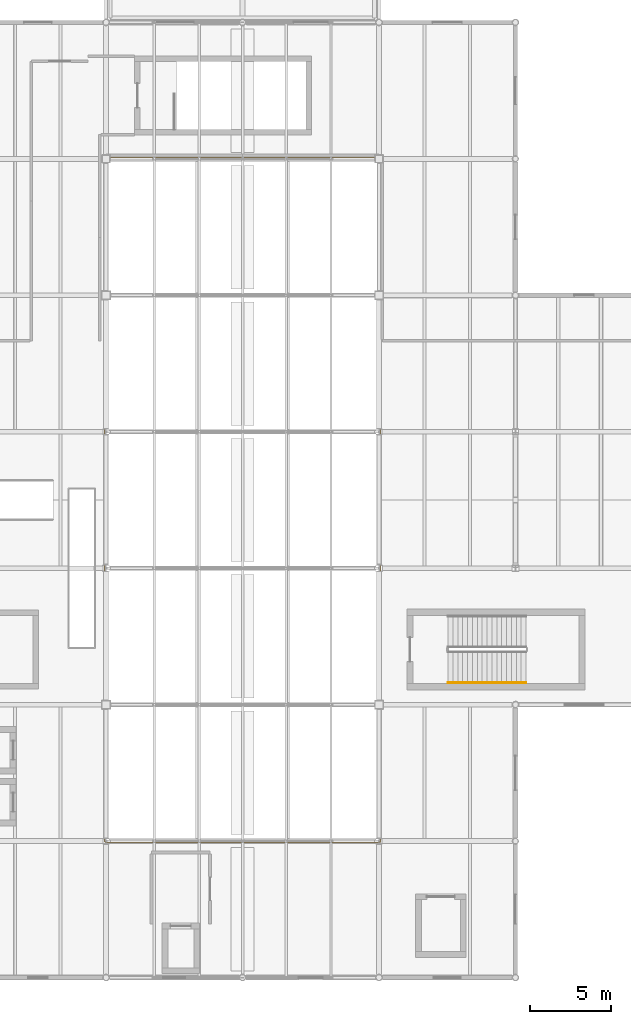
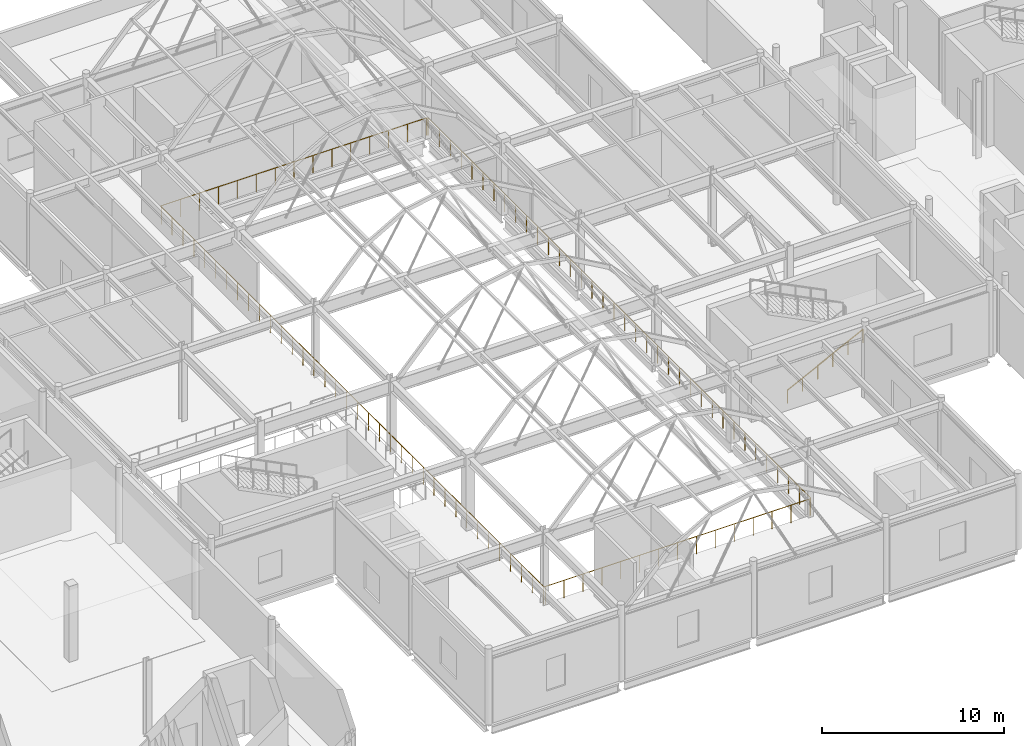
# One storey, part 92 of 103: 2 railings.
"""IFC4 building model written with IfcOpenShell, lengths in metres."""

from ifc_helpers import new_model, si_unit, direction, frame, origin, origin_2d, place, context, subcontext, project, spatial, circle, extrude, material, type_object, element, save


model = new_model("IFC4")

# Units and contexts
model_context = context("Model", 3, precision=1e-05, world=origin(), true_north=direction((0.0, 1.0)))
body_context = subcontext(model_context, "Body", "Model", "MODEL_VIEW")
ifc_project = project(units=[si_unit("LENGTHUNIT", "METRE"), si_unit("AREAUNIT", "SQUARE_METRE"), si_unit("VOLUMEUNIT", "CUBIC_METRE"), si_unit("PLANEANGLEUNIT", "RADIAN"), si_unit("MASSUNIT", "GRAM", prefix="KILO"), si_unit("THERMODYNAMICTEMPERATUREUNIT", "KELVIN")], contexts=[model_context])

# Site, building, storey
site_placement = place(None, origin())
site = spatial("IfcSite", under=ifc_project, at=site_placement, CompositionType="ELEMENT")
building_placement = place(site_placement, origin())
building = spatial("IfcBuilding", under=site, at=building_placement, Name="Lustrewick Department Store", CompositionType="ELEMENT")
storey_placement = place(building_placement, frame((0.0, 0.0, 16.5)))
storey = spatial("IfcBuildingStorey", under=building, at=storey_placement, Name="L04", CompositionType="ELEMENT", Elevation=16.5)

# Railings
ifc_material_1 = material(Name="Laminated safety glass and bronze atrium balustrade", Category="glass")
railing_type_1 = type_object("IfcRailingType", Name="RL-BAL", PredefinedType="BALUSTRADE", material=ifc_material_1)
railing_1_placement = place(storey_placement, frame((92.39990234375, 50.320068359375, 0.0)))
element("IfcRailing", 1, at=railing_1_placement, inside=storey, type_object=railing_type_1, Name="L04 Arcade Gallery Balustrade 0037", PredefinedType="BALUSTRADE", context=body_context, shape_type="SweptSolid", body=[
    extrude(circle(Radius=0.02392578125, at=origin_2d()), frame((0.0, 0.0, 1.17578125), z_axis=(-1.0, 0.0, 0.0), x_axis=(0.0, -1.0, 0.0)), (0.0, 0.0, 1.0), 16.7998046875),
    extrude(circle(Radius=0.02392578125, at=origin_2d()), frame((-16.7998046875, 0.0, 1.17578125), z_axis=(-0.999512076087, 0.031234752378, 0.0), x_axis=(-0.031234752378, -0.999512076087, 0.0)), (0.0, 0.0, 1.0), 0.0078125),
    extrude(circle(Radius=0.02392578125, at=origin_2d()), frame((-16.8076171875, 0.000244140625, 1.17578125), z_axis=(-0.988012033751, 0.154376880274, 0.0), x_axis=(-0.154376880274, -0.988012033751, 0.0)), (0.0, 0.0, 1.0), 0.0078125),
    extrude(circle(Radius=0.02392578125, at=origin_2d()), frame((-16.8154296875, 0.00146484375, 1.17578125), z_axis=(-0.968277323709, 0.249878019022, 0.0), x_axis=(-0.249878019022, -0.968277323709, 0.0)), (0.0, 0.0, 1.0), 0.0078125),
    extrude(circle(Radius=0.02392578125, at=origin_2d()), frame((-16.822998046875, 0.00341796875, 1.17578125), z_axis=(-0.942427745481, 0.334409845171, 0.0), x_axis=(-0.334409845171, -0.942427745481, 0.0)), (0.0, 0.0, 1.0), 0.008056640625),
    extrude(circle(Radius=0.02392578125, at=origin_2d()), frame((-16.83056640625, 0.006103515625, 1.17578125), z_axis=(-0.912509324515, 0.409055904093, 0.0), x_axis=(-0.409055904093, -0.912509324515, 0.0)), (0.0, 0.0, 1.0), 0.0078125),
    extrude(circle(Radius=0.02392578125, at=origin_2d()), frame((-16.837646484375, 0.00927734375, 1.17578125), z_axis=(-0.84623284009, 0.532813269686, 0.0), x_axis=(-0.532813269686, -0.84623284009, 0.0)), (0.0, 0.0, 1.0), 0.0078125),
    extrude(circle(Radius=0.02392578125, at=origin_2d()), frame((-16.84423828125, 0.013427734375, 1.17578125), z_axis=(-0.807391122258, 0.590016589342, 0.0), x_axis=(-0.590016589342, -0.807391122258, 0.0)), (0.0, 0.0, 1.0), 0.0078125),
    extrude(circle(Radius=0.02392578125, at=origin_2d()), frame((-16.8505859375, 0.01806640625, 1.17578125), z_axis=(-0.737154140201, 0.675724628517, 0.0), x_axis=(-0.675724628517, -0.737154140201, 0.0)), (0.0, 0.0, 1.0), 0.008056640625),
    extrude(circle(Radius=0.02392578125, at=origin_2d()), frame((-16.8564453125, 0.0234375, 1.17578125), z_axis=(-0.691222645967, 0.722641857148, 0.0), x_axis=(-0.722641857148, -0.691222645967, 0.0)), (0.0, 0.0, 1.0), 0.0078125),
    extrude(circle(Radius=0.02392578125, at=origin_2d()), frame((-16.86181640625, 0.029052734375, 1.17578125), z_axis=(-0.575493406175, 0.817806419301, 0.0), x_axis=(-0.817806419301, -0.575493406175, 0.0)), (0.0, 0.0, 1.0), 0.008056640625),
    extrude(circle(Radius=0.02392578125, at=origin_2d()), frame((-16.866455078125, 0.03564453125, 1.17578125), z_axis=(-0.532813269686, 0.84623284009, 0.0), x_axis=(-0.84623284009, -0.532813269686, 0.0)), (0.0, 0.0, 1.0), 0.0078125),
    extrude(circle(Radius=0.02392578125, at=origin_2d()), frame((-16.87060546875, 0.042236328125, 1.17578125), z_axis=(-0.409055904093, 0.912509324515, 0.0), x_axis=(-0.912509324515, -0.409055904093, 0.0)), (0.0, 0.0, 1.0), 0.0078125),
    extrude(circle(Radius=0.02392578125, at=origin_2d()), frame((-16.873779296875, 0.04931640625, 1.17578125), z_axis=(-0.344254649158, 0.938876315887, 0.0), x_axis=(-0.938876315887, -0.344254649158, 0.0)), (0.0, 0.0, 1.0), 0.0078125),
    extrude(circle(Radius=0.02392578125, at=origin_2d()), frame((-16.87646484375, 0.056640625, 1.17578125), z_axis=(-0.242535625036, 0.970142500145, 0.0), x_axis=(-0.970142500145, -0.242535625036, 0.0)), (0.0, 0.0, 1.0), 0.008056640625),
    extrude(circle(Radius=0.02392578125, at=origin_2d()), frame((-16.87841796875, 0.064453125, 1.17578125), z_axis=(-0.12797133763, 0.991777866634, 0.0), x_axis=(-0.991777866634, -0.12797133763, 0.0)), (0.0, 0.0, 1.0), 0.007568359375),
    extrude(circle(Radius=0.02392578125, at=origin_2d()), frame((-16.87939453125, 0.072021484375, 1.17578125), z_axis=(-0.062378286155, 0.998052578483, 0.0), x_axis=(-0.998052578483, -0.062378286155, 0.0)), (0.0, 0.0, 1.0), 0.0078125),
    extrude(circle(Radius=0.02392578125, at=origin_2d()), frame((-16.8798828125, 0.079833984375, 1.17578125), z_axis=(0.0, 1.0, 0.0), x_axis=(-1.0, 0.0, 0.0)), (0.0, 0.0, 1.0), 42.0),
    extrude(circle(Radius=0.02392578125, at=origin_2d()), frame((-16.8798828125, 42.079833984375, 1.17578125), z_axis=(0.062378286155, 0.998052578483, 0.0), x_axis=(-0.998052578483, 0.062378286155, 0.0)), (0.0, 0.0, 1.0), 0.0078125),
    extrude(circle(Radius=0.02392578125, at=origin_2d()), frame((-16.87939453125, 42.087646484375, 1.17578125), z_axis=(0.124034734589, 0.992277876714, 0.0), x_axis=(-0.992277876714, 0.124034734589, 0.0)), (0.0, 0.0, 1.0), 0.0078125),
    extrude(circle(Radius=0.02392578125, at=origin_2d()), frame((-16.87841796875, 42.095458984375, 1.17578125), z_axis=(0.249878019022, 0.968277323709, 0.0), x_axis=(-0.968277323709, 0.249878019022, 0.0)), (0.0, 0.0, 1.0), 0.0078125),
    extrude(circle(Radius=0.02392578125, at=origin_2d()), frame((-16.87646484375, 42.10302734375, 1.17578125), z_axis=(0.334409845171, 0.942427745481, 0.0), x_axis=(-0.942427745481, 0.334409845171, 0.0)), (0.0, 0.0, 1.0), 0.008056640625),
    extrude(circle(Radius=0.02392578125, at=origin_2d()), frame((-16.873779296875, 42.110595703125, 1.17578125), z_axis=(0.409055904093, 0.912509324515, 0.0), x_axis=(-0.912509324515, 0.409055904093, 0.0)), (0.0, 0.0, 1.0), 0.0078125),
    extrude(circle(Radius=0.02392578125, at=origin_2d()), frame((-16.87060546875, 42.11767578125, 1.17578125), z_axis=(0.532813269686, 0.84623284009, 0.0), x_axis=(-0.84623284009, 0.532813269686, 0.0)), (0.0, 0.0, 1.0), 0.0078125),
    extrude(circle(Radius=0.02392578125, at=origin_2d()), frame((-16.866455078125, 42.124267578125, 1.17578125), z_axis=(0.590016589342, 0.807391122258, 0.0), x_axis=(-0.807391122258, 0.590016589342, 0.0)), (0.0, 0.0, 1.0), 0.0078125),
    extrude(circle(Radius=0.02392578125, at=origin_2d()), frame((-16.86181640625, 42.130615234375, 1.17578125), z_axis=(0.675724628517, 0.737154140201, 0.0), x_axis=(-0.737154140201, 0.675724628517, 0.0)), (0.0, 0.0, 1.0), 0.008056640625),
    extrude(circle(Radius=0.02392578125, at=origin_2d()), frame((-16.8564453125, 42.136474609375, 1.17578125), z_axis=(0.737154140201, 0.675724628517, 0.0), x_axis=(-0.675724628517, 0.737154140201, 0.0)), (0.0, 0.0, 1.0), 0.008056640625),
    extrude(circle(Radius=0.02392578125, at=origin_2d()), frame((-16.8505859375, 42.141845703125, 1.17578125), z_axis=(0.807391122258, 0.590016589342, 0.0), x_axis=(-0.590016589342, 0.807391122258, 0.0)), (0.0, 0.0, 1.0), 0.0078125),
    extrude(circle(Radius=0.02392578125, at=origin_2d()), frame((-16.84423828125, 42.146484375, 1.17578125), z_axis=(0.84623284009, 0.532813269686, 0.0), x_axis=(-0.532813269686, 0.84623284009, 0.0)), (0.0, 0.0, 1.0), 0.0078125),
    extrude(circle(Radius=0.02392578125, at=origin_2d()), frame((-16.837646484375, 42.150634765625, 1.17578125), z_axis=(0.912509324515, 0.409055904093, 0.0), x_axis=(-0.409055904093, 0.912509324515, 0.0)), (0.0, 0.0, 1.0), 0.0078125),
    extrude(circle(Radius=0.02392578125, at=origin_2d()), frame((-16.83056640625, 42.15380859375, 1.17578125), z_axis=(0.942427745481, 0.334409845171, 0.0), x_axis=(-0.334409845171, 0.942427745481, 0.0)), (0.0, 0.0, 1.0), 0.008056640625),
    extrude(circle(Radius=0.02392578125, at=origin_2d()), frame((-16.822998046875, 42.156494140625, 1.17578125), z_axis=(0.968277323709, 0.249878019022, 0.0), x_axis=(-0.249878019022, 0.968277323709, 0.0)), (0.0, 0.0, 1.0), 0.0078125),
    extrude(circle(Radius=0.02392578125, at=origin_2d()), frame((-16.8154296875, 42.158447265625, 1.17578125), z_axis=(0.992277876714, 0.124034734589, 0.0), x_axis=(-0.124034734589, 0.992277876714, 0.0)), (0.0, 0.0, 1.0), 0.0078125),
    extrude(circle(Radius=0.02392578125, at=origin_2d()), frame((-16.8076171875, 42.159423828125, 1.17578125), z_axis=(0.998052578483, 0.062378286155, 0.0), x_axis=(-0.062378286155, 0.998052578483, 0.0)), (0.0, 0.0, 1.0), 0.0078125),
    extrude(circle(Radius=0.02392578125, at=origin_2d()), frame((-16.7998046875, 42.159912109375, 1.17578125), z_axis=(1.0, 0.0, 0.0), x_axis=(0.0, 1.0, 0.0)), (0.0, 0.0, 1.0), 16.7998046875),
    extrude(circle(Radius=0.02392578125, at=origin_2d()), frame((0.0, 42.159912109375, 1.17578125), z_axis=(0.998052578483, -0.062378286155, 0.0), x_axis=(0.062378286155, 0.998052578483, 0.0)), (0.0, 0.0, 1.0), 0.0078125),
    extrude(circle(Radius=0.02392578125, at=origin_2d()), frame((0.0078125, 42.159423828125, 1.17578125), z_axis=(0.992277876714, -0.124034734589, 0.0), x_axis=(0.124034734589, 0.992277876714, 0.0)), (0.0, 0.0, 1.0), 0.0078125),
    extrude(circle(Radius=0.02392578125, at=origin_2d()), frame((0.015625, 42.158447265625, 1.17578125), z_axis=(0.968277323709, -0.249878019022, 0.0), x_axis=(0.249878019022, 0.968277323709, 0.0)), (0.0, 0.0, 1.0), 0.0078125),
    extrude(circle(Radius=0.02392578125, at=origin_2d()), frame((0.023193359375, 42.156494140625, 1.17578125), z_axis=(0.942427745481, -0.334409845171, 0.0), x_axis=(0.334409845171, 0.942427745481, 0.0)), (0.0, 0.0, 1.0), 0.008056640625),
    extrude(circle(Radius=0.02392578125, at=origin_2d()), frame((0.03076171875, 42.15380859375, 1.17578125), z_axis=(0.912509324515, -0.409055904093, 0.0), x_axis=(0.409055904093, 0.912509324515, 0.0)), (0.0, 0.0, 1.0), 0.0078125),
    extrude(circle(Radius=0.02392578125, at=origin_2d()), frame((0.037841796875, 42.150634765625, 1.17578125), z_axis=(0.84623284009, -0.532813269686, 0.0), x_axis=(0.532813269686, 0.84623284009, 0.0)), (0.0, 0.0, 1.0), 0.0078125),
    extrude(circle(Radius=0.02392578125, at=origin_2d()), frame((0.04443359375, 42.146484375, 1.17578125), z_axis=(0.807391122258, -0.590016589342, 0.0), x_axis=(0.590016589342, 0.807391122258, 0.0)), (0.0, 0.0, 1.0), 0.0078125),
    extrude(circle(Radius=0.02392578125, at=origin_2d()), frame((0.05078125, 42.141845703125, 1.17578125), z_axis=(0.737154140201, -0.675724628517, 0.0), x_axis=(0.675724628517, 0.737154140201, 0.0)), (0.0, 0.0, 1.0), 0.008056640625),
    extrude(circle(Radius=0.02392578125, at=origin_2d()), frame((0.056640625, 42.136474609375, 1.17578125), z_axis=(0.675724628517, -0.737154140201, 0.0), x_axis=(0.737154140201, 0.675724628517, 0.0)), (0.0, 0.0, 1.0), 0.008056640625),
    extrude(circle(Radius=0.02392578125, at=origin_2d()), frame((0.06201171875, 42.130615234375, 1.17578125), z_axis=(0.590016589342, -0.807391122258, 0.0), x_axis=(0.807391122258, 0.590016589342, 0.0)), (0.0, 0.0, 1.0), 0.0078125),
    extrude(circle(Radius=0.02392578125, at=origin_2d()), frame((0.066650390625, 42.124267578125, 1.17578125), z_axis=(0.532813269686, -0.84623284009, 0.0), x_axis=(0.84623284009, 0.532813269686, 0.0)), (0.0, 0.0, 1.0), 0.0078125),
    extrude(circle(Radius=0.02392578125, at=origin_2d()), frame((0.07080078125, 42.11767578125, 1.17578125), z_axis=(0.409055904093, -0.912509324515, 0.0), x_axis=(0.912509324515, 0.409055904093, 0.0)), (0.0, 0.0, 1.0), 0.0078125),
    extrude(circle(Radius=0.02392578125, at=origin_2d()), frame((0.073974609375, 42.110595703125, 1.17578125), z_axis=(0.334409845171, -0.942427745481, 0.0), x_axis=(0.942427745481, 0.334409845171, 0.0)), (0.0, 0.0, 1.0), 0.008056640625),
    extrude(circle(Radius=0.02392578125, at=origin_2d()), frame((0.07666015625, 42.10302734375, 1.17578125), z_axis=(0.249878019022, -0.968277323709, 0.0), x_axis=(0.968277323709, 0.249878019022, 0.0)), (0.0, 0.0, 1.0), 0.0078125),
    extrude(circle(Radius=0.02392578125, at=origin_2d()), frame((0.07861328125, 42.095458984375, 1.17578125), z_axis=(0.124034734589, -0.992277876714, 0.0), x_axis=(0.992277876714, 0.124034734589, 0.0)), (0.0, 0.0, 1.0), 0.0078125),
    extrude(circle(Radius=0.02392578125, at=origin_2d()), frame((0.07958984375, 42.087646484375, 1.17578125), z_axis=(0.062378286155, -0.998052578483, 0.0), x_axis=(0.998052578483, 0.062378286155, 0.0)), (0.0, 0.0, 1.0), 0.0078125),
    extrude(circle(Radius=0.02392578125, at=origin_2d()), frame((0.080078125, 42.079833984375, 1.17578125), z_axis=(0.0, -1.0, 0.0), x_axis=(1.0, 0.0, 0.0)), (0.0, 0.0, 1.0), 42.0),
    extrude(circle(Radius=0.02392578125, at=origin_2d()), frame((0.080078125, 0.079833984375, 1.17578125), z_axis=(-0.062378286155, -0.998052578483, 0.0), x_axis=(0.998052578483, -0.062378286155, 0.0)), (0.0, 0.0, 1.0), 0.0078125),
    extrude(circle(Radius=0.02392578125, at=origin_2d()), frame((0.07958984375, 0.072021484375, 1.17578125), z_axis=(-0.12797133763, -0.991777866634, 0.0), x_axis=(0.991777866634, -0.12797133763, 0.0)), (0.0, 0.0, 1.0), 0.007568359375),
    extrude(circle(Radius=0.02392578125, at=origin_2d()), frame((0.07861328125, 0.064453125, 1.17578125), z_axis=(-0.242535625036, -0.970142500145, 0.0), x_axis=(0.970142500145, -0.242535625036, 0.0)), (0.0, 0.0, 1.0), 0.008056640625),
    extrude(circle(Radius=0.02392578125, at=origin_2d()), frame((0.07666015625, 0.056640625, 1.17578125), z_axis=(-0.344254649158, -0.938876315887, 0.0), x_axis=(0.938876315887, -0.344254649158, 0.0)), (0.0, 0.0, 1.0), 0.0078125),
    extrude(circle(Radius=0.02392578125, at=origin_2d()), frame((0.073974609375, 0.04931640625, 1.17578125), z_axis=(-0.409055904093, -0.912509324515, 0.0), x_axis=(0.912509324515, -0.409055904093, 0.0)), (0.0, 0.0, 1.0), 0.0078125),
    extrude(circle(Radius=0.02392578125, at=origin_2d()), frame((0.07080078125, 0.042236328125, 1.17578125), z_axis=(-0.532813269686, -0.84623284009, 0.0), x_axis=(0.84623284009, -0.532813269686, 0.0)), (0.0, 0.0, 1.0), 0.0078125),
    extrude(circle(Radius=0.02392578125, at=origin_2d()), frame((0.066650390625, 0.03564453125, 1.17578125), z_axis=(-0.575493406175, -0.817806419301, 0.0), x_axis=(0.817806419301, -0.575493406175, 0.0)), (0.0, 0.0, 1.0), 0.008056640625),
    extrude(circle(Radius=0.02392578125, at=origin_2d()), frame((0.06201171875, 0.029052734375, 1.17578125), z_axis=(-0.691222645967, -0.722641857148, 0.0), x_axis=(0.722641857148, -0.691222645967, 0.0)), (0.0, 0.0, 1.0), 0.0078125),
    extrude(circle(Radius=0.02392578125, at=origin_2d()), frame((0.056640625, 0.0234375, 1.17578125), z_axis=(-0.737154140201, -0.675724628517, 0.0), x_axis=(0.675724628517, -0.737154140201, 0.0)), (0.0, 0.0, 1.0), 0.008056640625),
    extrude(circle(Radius=0.02392578125, at=origin_2d()), frame((0.05078125, 0.01806640625, 1.17578125), z_axis=(-0.807391122258, -0.590016589342, 0.0), x_axis=(0.590016589342, -0.807391122258, 0.0)), (0.0, 0.0, 1.0), 0.0078125),
    extrude(circle(Radius=0.02392578125, at=origin_2d()), frame((0.04443359375, 0.013427734375, 1.17578125), z_axis=(-0.84623284009, -0.532813269686, 0.0), x_axis=(0.532813269686, -0.84623284009, 0.0)), (0.0, 0.0, 1.0), 0.0078125),
    extrude(circle(Radius=0.02392578125, at=origin_2d()), frame((0.037841796875, 0.00927734375, 1.17578125), z_axis=(-0.912509324515, -0.409055904093, 0.0), x_axis=(0.409055904093, -0.912509324515, 0.0)), (0.0, 0.0, 1.0), 0.0078125),
    extrude(circle(Radius=0.02392578125, at=origin_2d()), frame((0.03076171875, 0.006103515625, 1.17578125), z_axis=(-0.942427745481, -0.334409845171, 0.0), x_axis=(0.334409845171, -0.942427745481, 0.0)), (0.0, 0.0, 1.0), 0.008056640625),
    extrude(circle(Radius=0.02392578125, at=origin_2d()), frame((0.023193359375, 0.00341796875, 1.17578125), z_axis=(-0.968277323709, -0.249878019022, 0.0), x_axis=(0.249878019022, -0.968277323709, 0.0)), (0.0, 0.0, 1.0), 0.0078125),
    extrude(circle(Radius=0.02392578125, at=origin_2d()), frame((0.015625, 0.00146484375, 1.17578125), z_axis=(-0.988012033751, -0.154376880274, 0.0), x_axis=(0.154376880274, -0.988012033751, 0.0)), (0.0, 0.0, 1.0), 0.0078125),
    extrude(circle(Radius=0.02392578125, at=origin_2d()), frame((0.0078125, 0.000244140625, 1.17578125), z_axis=(-0.999512076087, -0.031234752378, 0.0), x_axis=(0.031234752378, -0.999512076087, 0.0)), (0.0, 0.0, 1.0), 0.0078125),
    extrude(circle(Radius=0.02099609375, at=origin_2d()), origin(), (0.0, 0.0, 1.0), 1.15185546875),
    extrude(circle(Radius=0.02099609375, at=origin_2d()), frame((-1.199951171875, 0.0, 0.0)), (0.0, 0.0, 1.0), 1.15185546875),
    extrude(circle(Radius=0.02099609375, at=origin_2d()), frame((-2.39990234375, 0.0, 0.0)), (0.0, 0.0, 1.0), 1.15185546875),
    extrude(circle(Radius=0.02099609375, at=origin_2d()), frame((-3.599853515625, 0.0, 0.0)), (0.0, 0.0, 1.0), 1.15185546875),
    extrude(circle(Radius=0.02099609375, at=origin_2d()), frame((-4.800048828125, 0.0, 0.0)), (0.0, 0.0, 1.0), 1.15185546875),
    extrude(circle(Radius=0.02099609375, at=origin_2d()), frame((-6.0, 0.0, 0.0)), (0.0, 0.0, 1.0), 1.15185546875),
    extrude(circle(Radius=0.02099609375, at=origin_2d()), frame((-7.199951171875, 0.0, 0.0)), (0.0, 0.0, 1.0), 1.15185546875),
    extrude(circle(Radius=0.02099609375, at=origin_2d()), frame((-8.39990234375, 0.0, 0.0)), (0.0, 0.0, 1.0), 1.15185546875),
    extrude(circle(Radius=0.02099609375, at=origin_2d()), frame((-9.599853515625, 0.0, 0.0)), (0.0, 0.0, 1.0), 1.15185546875),
    extrude(circle(Radius=0.02099609375, at=origin_2d()), frame((-10.7998046875, 0.0, 0.0)), (0.0, 0.0, 1.0), 1.15185546875),
    extrude(circle(Radius=0.02099609375, at=origin_2d()), frame((-11.999755859375, 0.0, 0.0)), (0.0, 0.0, 1.0), 1.15185546875),
    extrude(circle(Radius=0.02099609375, at=origin_2d()), frame((-13.199951171875, 0.0, 0.0)), (0.0, 0.0, 1.0), 1.15185546875),
    extrude(circle(Radius=0.02099609375, at=origin_2d()), frame((-14.39990234375, 0.0, 0.0)), (0.0, 0.0, 1.0), 1.15185546875),
    extrude(circle(Radius=0.02099609375, at=origin_2d()), frame((-15.599853515625, 0.0, 0.0)), (0.0, 0.0, 1.0), 1.15185546875),
    extrude(circle(Radius=0.02099609375, at=origin_2d()), frame((-16.7998046875, 0.0, 0.0)), (0.0, 0.0, 1.0), 1.15185546875),
    extrude(circle(Radius=0.02099609375, at=origin_2d()), frame((-16.87060546875, 0.042236328125, 0.0)), (0.0, 0.0, 1.0), 1.15185546875),
    extrude(circle(Radius=0.02099609375, at=origin_2d()), frame((-16.8798828125, 1.27978515625, 0.0)), (0.0, 0.0, 1.0), 1.15185546875),
    extrude(circle(Radius=0.02099609375, at=origin_2d()), frame((-16.8798828125, 2.479736328125, 0.0)), (0.0, 0.0, 1.0), 1.15185546875),
    extrude(circle(Radius=0.02099609375, at=origin_2d()), frame((-16.8798828125, 3.679931640625, 0.0)), (0.0, 0.0, 1.0), 1.15185546875),
    extrude(circle(Radius=0.02099609375, at=origin_2d()), frame((-16.8798828125, 4.8798828125, 0.0)), (0.0, 0.0, 1.0), 1.15185546875),
    extrude(circle(Radius=0.02099609375, at=origin_2d()), frame((-16.8798828125, 6.079833984375, 0.0)), (0.0, 0.0, 1.0), 1.15185546875),
    extrude(circle(Radius=0.02099609375, at=origin_2d()), frame((-16.8798828125, 7.27978515625, 0.0)), (0.0, 0.0, 1.0), 1.15185546875),
    extrude(circle(Radius=0.02099609375, at=origin_2d()), frame((-16.8798828125, 8.479736328125, 0.0)), (0.0, 0.0, 1.0), 1.15185546875),
    extrude(circle(Radius=0.02099609375, at=origin_2d()), frame((-16.8798828125, 9.679931640625, 0.0)), (0.0, 0.0, 1.0), 1.15185546875),
    extrude(circle(Radius=0.02099609375, at=origin_2d()), frame((-16.8798828125, 10.8798828125, 0.0)), (0.0, 0.0, 1.0), 1.15185546875),
    extrude(circle(Radius=0.02099609375, at=origin_2d()), frame((-16.8798828125, 12.079833984375, 0.0)), (0.0, 0.0, 1.0), 1.15185546875),
    extrude(circle(Radius=0.02099609375, at=origin_2d()), frame((-16.8798828125, 13.27978515625, 0.0)), (0.0, 0.0, 1.0), 1.15185546875),
    extrude(circle(Radius=0.02099609375, at=origin_2d()), frame((-16.8798828125, 14.479736328125, 0.0)), (0.0, 0.0, 1.0), 1.15185546875),
    extrude(circle(Radius=0.02099609375, at=origin_2d()), frame((-16.8798828125, 15.679931640625, 0.0)), (0.0, 0.0, 1.0), 1.15185546875),
    extrude(circle(Radius=0.02099609375, at=origin_2d()), frame((-16.8798828125, 16.8798828125, 0.0)), (0.0, 0.0, 1.0), 1.15185546875),
    extrude(circle(Radius=0.02099609375, at=origin_2d()), frame((-16.8798828125, 18.079833984375, 0.0)), (0.0, 0.0, 1.0), 1.15185546875),
    extrude(circle(Radius=0.02099609375, at=origin_2d()), frame((-16.8798828125, 19.27978515625, 0.0)), (0.0, 0.0, 1.0), 1.15185546875),
    extrude(circle(Radius=0.02099609375, at=origin_2d()), frame((-16.8798828125, 20.479736328125, 0.0)), (0.0, 0.0, 1.0), 1.15185546875),
    extrude(circle(Radius=0.02099609375, at=origin_2d()), frame((-16.8798828125, 21.679931640625, 0.0)), (0.0, 0.0, 1.0), 1.15185546875),
    extrude(circle(Radius=0.02099609375, at=origin_2d()), frame((-16.8798828125, 22.8798828125, 0.0)), (0.0, 0.0, 1.0), 1.15185546875),
    extrude(circle(Radius=0.02099609375, at=origin_2d()), frame((-16.8798828125, 24.079833984375, 0.0)), (0.0, 0.0, 1.0), 1.15185546875),
    extrude(circle(Radius=0.02099609375, at=origin_2d()), frame((-16.8798828125, 25.27978515625, 0.0)), (0.0, 0.0, 1.0), 1.15185546875),
    extrude(circle(Radius=0.02099609375, at=origin_2d()), frame((-16.8798828125, 26.479736328125, 0.0)), (0.0, 0.0, 1.0), 1.15185546875),
    extrude(circle(Radius=0.02099609375, at=origin_2d()), frame((-16.8798828125, 27.679931640625, 0.0)), (0.0, 0.0, 1.0), 1.15185546875),
    extrude(circle(Radius=0.02099609375, at=origin_2d()), frame((-16.8798828125, 28.8798828125, 0.0)), (0.0, 0.0, 1.0), 1.15185546875),
    extrude(circle(Radius=0.02099609375, at=origin_2d()), frame((-16.8798828125, 30.079833984375, 0.0)), (0.0, 0.0, 1.0), 1.15185546875),
    extrude(circle(Radius=0.02099609375, at=origin_2d()), frame((-16.8798828125, 31.27978515625, 0.0)), (0.0, 0.0, 1.0), 1.15185546875),
    extrude(circle(Radius=0.02099609375, at=origin_2d()), frame((-16.8798828125, 32.479736328125, 0.0)), (0.0, 0.0, 1.0), 1.15185546875),
    extrude(circle(Radius=0.02099609375, at=origin_2d()), frame((-16.8798828125, 33.679931640625, 0.0)), (0.0, 0.0, 1.0), 1.15185546875),
    extrude(circle(Radius=0.02099609375, at=origin_2d()), frame((-16.8798828125, 34.8798828125, 0.0)), (0.0, 0.0, 1.0), 1.15185546875),
    extrude(circle(Radius=0.02099609375, at=origin_2d()), frame((-16.8798828125, 36.079833984375, 0.0)), (0.0, 0.0, 1.0), 1.15185546875),
    extrude(circle(Radius=0.02099609375, at=origin_2d()), frame((-16.8798828125, 37.27978515625, 0.0)), (0.0, 0.0, 1.0), 1.15185546875),
    extrude(circle(Radius=0.02099609375, at=origin_2d()), frame((-16.8798828125, 38.479736328125, 0.0)), (0.0, 0.0, 1.0), 1.15185546875),
    extrude(circle(Radius=0.02099609375, at=origin_2d()), frame((-16.8798828125, 39.679931640625, 0.0)), (0.0, 0.0, 1.0), 1.15185546875),
    extrude(circle(Radius=0.02099609375, at=origin_2d()), frame((-16.8798828125, 40.8798828125, 0.0)), (0.0, 0.0, 1.0), 1.15185546875),
    extrude(circle(Radius=0.02099609375, at=origin_2d()), frame((-16.8798828125, 42.079833984375, 0.0)), (0.0, 0.0, 1.0), 1.15185546875),
    extrude(circle(Radius=0.02099609375, at=origin_2d()), frame((-16.837646484375, 42.150634765625, 0.0)), (0.0, 0.0, 1.0), 1.15185546875),
    extrude(circle(Radius=0.02099609375, at=origin_2d()), frame((-15.599853515625, 42.159912109375, 0.0)), (0.0, 0.0, 1.0), 1.15185546875),
    extrude(circle(Radius=0.02099609375, at=origin_2d()), frame((-14.39990234375, 42.159912109375, 0.0)), (0.0, 0.0, 1.0), 1.15185546875),
    extrude(circle(Radius=0.02099609375, at=origin_2d()), frame((-13.199951171875, 42.159912109375, 0.0)), (0.0, 0.0, 1.0), 1.15185546875),
    extrude(circle(Radius=0.02099609375, at=origin_2d()), frame((-11.999755859375, 42.159912109375, 0.0)), (0.0, 0.0, 1.0), 1.15185546875),
    extrude(circle(Radius=0.02099609375, at=origin_2d()), frame((-10.7998046875, 42.159912109375, 0.0)), (0.0, 0.0, 1.0), 1.15185546875),
    extrude(circle(Radius=0.02099609375, at=origin_2d()), frame((-9.599853515625, 42.159912109375, 0.0)), (0.0, 0.0, 1.0), 1.15185546875),
    extrude(circle(Radius=0.02099609375, at=origin_2d()), frame((-8.39990234375, 42.159912109375, 0.0)), (0.0, 0.0, 1.0), 1.15185546875),
    extrude(circle(Radius=0.02099609375, at=origin_2d()), frame((-7.199951171875, 42.159912109375, 0.0)), (0.0, 0.0, 1.0), 1.15185546875),
    extrude(circle(Radius=0.02099609375, at=origin_2d()), frame((-6.0, 42.159912109375, 0.0)), (0.0, 0.0, 1.0), 1.15185546875),
    extrude(circle(Radius=0.02099609375, at=origin_2d()), frame((-4.800048828125, 42.159912109375, 0.0)), (0.0, 0.0, 1.0), 1.15185546875),
    extrude(circle(Radius=0.02099609375, at=origin_2d()), frame((-3.599853515625, 42.159912109375, 0.0)), (0.0, 0.0, 1.0), 1.15185546875),
    extrude(circle(Radius=0.02099609375, at=origin_2d()), frame((-2.39990234375, 42.159912109375, 0.0)), (0.0, 0.0, 1.0), 1.15185546875),
    extrude(circle(Radius=0.02099609375, at=origin_2d()), frame((-1.199951171875, 42.159912109375, 0.0)), (0.0, 0.0, 1.0), 1.15185546875),
    extrude(circle(Radius=0.02099609375, at=origin_2d()), frame((0.0, 42.159912109375, 0.0)), (0.0, 0.0, 1.0), 1.15185546875),
    extrude(circle(Radius=0.02099609375, at=origin_2d()), frame((0.07080078125, 42.11767578125, 0.0)), (0.0, 0.0, 1.0), 1.15185546875),
    extrude(circle(Radius=0.02099609375, at=origin_2d()), frame((0.080078125, 40.8798828125, 0.0)), (0.0, 0.0, 1.0), 1.15185546875),
    extrude(circle(Radius=0.02099609375, at=origin_2d()), frame((0.080078125, 39.679931640625, 0.0)), (0.0, 0.0, 1.0), 1.15185546875),
    extrude(circle(Radius=0.02099609375, at=origin_2d()), frame((0.080078125, 38.479736328125, 0.0)), (0.0, 0.0, 1.0), 1.15185546875),
    extrude(circle(Radius=0.02099609375, at=origin_2d()), frame((0.080078125, 37.27978515625, 0.0)), (0.0, 0.0, 1.0), 1.15185546875),
    extrude(circle(Radius=0.02099609375, at=origin_2d()), frame((0.080078125, 36.079833984375, 0.0)), (0.0, 0.0, 1.0), 1.15185546875),
    extrude(circle(Radius=0.02099609375, at=origin_2d()), frame((0.080078125, 34.8798828125, 0.0)), (0.0, 0.0, 1.0), 1.15185546875),
    extrude(circle(Radius=0.02099609375, at=origin_2d()), frame((0.080078125, 33.679931640625, 0.0)), (0.0, 0.0, 1.0), 1.15185546875),
    extrude(circle(Radius=0.02099609375, at=origin_2d()), frame((0.080078125, 32.479736328125, 0.0)), (0.0, 0.0, 1.0), 1.15185546875),
    extrude(circle(Radius=0.02099609375, at=origin_2d()), frame((0.080078125, 31.27978515625, 0.0)), (0.0, 0.0, 1.0), 1.15185546875),
    extrude(circle(Radius=0.02099609375, at=origin_2d()), frame((0.080078125, 30.079833984375, 0.0)), (0.0, 0.0, 1.0), 1.15185546875),
    extrude(circle(Radius=0.02099609375, at=origin_2d()), frame((0.080078125, 28.8798828125, 0.0)), (0.0, 0.0, 1.0), 1.15185546875),
    extrude(circle(Radius=0.02099609375, at=origin_2d()), frame((0.080078125, 27.679931640625, 0.0)), (0.0, 0.0, 1.0), 1.15185546875),
    extrude(circle(Radius=0.02099609375, at=origin_2d()), frame((0.080078125, 26.479736328125, 0.0)), (0.0, 0.0, 1.0), 1.15185546875),
    extrude(circle(Radius=0.02099609375, at=origin_2d()), frame((0.080078125, 25.27978515625, 0.0)), (0.0, 0.0, 1.0), 1.15185546875),
    extrude(circle(Radius=0.02099609375, at=origin_2d()), frame((0.080078125, 24.079833984375, 0.0)), (0.0, 0.0, 1.0), 1.15185546875),
    extrude(circle(Radius=0.02099609375, at=origin_2d()), frame((0.080078125, 22.8798828125, 0.0)), (0.0, 0.0, 1.0), 1.15185546875),
    extrude(circle(Radius=0.02099609375, at=origin_2d()), frame((0.080078125, 21.679931640625, 0.0)), (0.0, 0.0, 1.0), 1.15185546875),
    extrude(circle(Radius=0.02099609375, at=origin_2d()), frame((0.080078125, 20.479736328125, 0.0)), (0.0, 0.0, 1.0), 1.15185546875),
    extrude(circle(Radius=0.02099609375, at=origin_2d()), frame((0.080078125, 19.27978515625, 0.0)), (0.0, 0.0, 1.0), 1.15185546875),
    extrude(circle(Radius=0.02099609375, at=origin_2d()), frame((0.080078125, 18.079833984375, 0.0)), (0.0, 0.0, 1.0), 1.15185546875),
    extrude(circle(Radius=0.02099609375, at=origin_2d()), frame((0.080078125, 16.8798828125, 0.0)), (0.0, 0.0, 1.0), 1.15185546875),
    extrude(circle(Radius=0.02099609375, at=origin_2d()), frame((0.080078125, 15.679931640625, 0.0)), (0.0, 0.0, 1.0), 1.15185546875),
    extrude(circle(Radius=0.02099609375, at=origin_2d()), frame((0.080078125, 14.479736328125, 0.0)), (0.0, 0.0, 1.0), 1.15185546875),
    extrude(circle(Radius=0.02099609375, at=origin_2d()), frame((0.080078125, 13.27978515625, 0.0)), (0.0, 0.0, 1.0), 1.15185546875),
    extrude(circle(Radius=0.02099609375, at=origin_2d()), frame((0.080078125, 12.079833984375, 0.0)), (0.0, 0.0, 1.0), 1.15185546875),
    extrude(circle(Radius=0.02099609375, at=origin_2d()), frame((0.080078125, 10.8798828125, 0.0)), (0.0, 0.0, 1.0), 1.15185546875),
    extrude(circle(Radius=0.02099609375, at=origin_2d()), frame((0.080078125, 9.679931640625, 0.0)), (0.0, 0.0, 1.0), 1.15185546875),
    extrude(circle(Radius=0.02099609375, at=origin_2d()), frame((0.080078125, 8.479736328125, 0.0)), (0.0, 0.0, 1.0), 1.15185546875),
    extrude(circle(Radius=0.02099609375, at=origin_2d()), frame((0.080078125, 7.27978515625, 0.0)), (0.0, 0.0, 1.0), 1.15185546875),
    extrude(circle(Radius=0.02099609375, at=origin_2d()), frame((0.080078125, 6.079833984375, 0.0)), (0.0, 0.0, 1.0), 1.15185546875),
    extrude(circle(Radius=0.02099609375, at=origin_2d()), frame((0.080078125, 4.8798828125, 0.0)), (0.0, 0.0, 1.0), 1.15185546875),
    extrude(circle(Radius=0.02099609375, at=origin_2d()), frame((0.080078125, 3.679931640625, 0.0)), (0.0, 0.0, 1.0), 1.15185546875),
    extrude(circle(Radius=0.02099609375, at=origin_2d()), frame((0.080078125, 2.479736328125, 0.0)), (0.0, 0.0, 1.0), 1.15185546875),
    extrude(circle(Radius=0.02099609375, at=origin_2d()), frame((0.080078125, 1.27978515625, 0.0)), (0.0, 0.0, 1.0), 1.15185546875),
    extrude(circle(Radius=0.02099609375, at=origin_2d()), frame((0.080078125, 0.079833984375, 0.0)), (0.0, 0.0, 1.0), 1.15185546875),
])
ifc_material_2 = material(Name="Brushed stainless steel wall handrail", Category="steel")
railing_type_2 = type_object("IfcRailingType", Name="RL-STH", PredefinedType="HANDRAIL", material=ifc_material_2)
railing_2_placement = place(storey_placement, frame((96.64990234375, 60.14990234375, 0.14990234375)))
element("IfcRailing", 2, at=railing_2_placement, inside=storey, type_object=railing_type_2, Name="L04 ST05 Stair Handrail 1", PredefinedType="HANDRAIL", context=body_context, shape_type="SweptSolid", body=[
    extrude(circle(Radius=0.02392578125, at=origin_2d()), frame((0.0, 0.0, 0.8759765625), z_axis=(0.894418092416, 0.0, 0.447231792205), x_axis=(0.0, 1.0, 0.0)), (0.0, 0.0, 1.0), 5.36669921875),
    extrude(circle(Radius=0.02099609375, at=origin_2d()), origin(), (0.0, 0.0, 1.0), 0.851806640625),
    extrude(circle(Radius=0.02099609375, at=origin_2d()), frame((0.9599609375, 0.0, 0.47998046875)), (0.0, 0.0, 1.0), 0.851806640625),
    extrude(circle(Radius=0.02099609375, at=origin_2d()), frame((1.919921875, 0.0, 0.9599609375)), (0.0, 0.0, 1.0), 0.851806640625),
    extrude(circle(Radius=0.02099609375, at=origin_2d()), frame((2.880126953125, 0.0, 1.440185546875)), (0.0, 0.0, 1.0), 0.851806640625),
    extrude(circle(Radius=0.02099609375, at=origin_2d()), frame((3.840087890625, 0.0, 1.920166015625)), (0.0, 0.0, 1.0), 0.851806640625),
    extrude(circle(Radius=0.02099609375, at=origin_2d()), frame((4.800048828125, 0.0, 2.400146484375)), (0.0, 0.0, 1.0), 0.851806640625),
])

save(model, "model.ifc")
